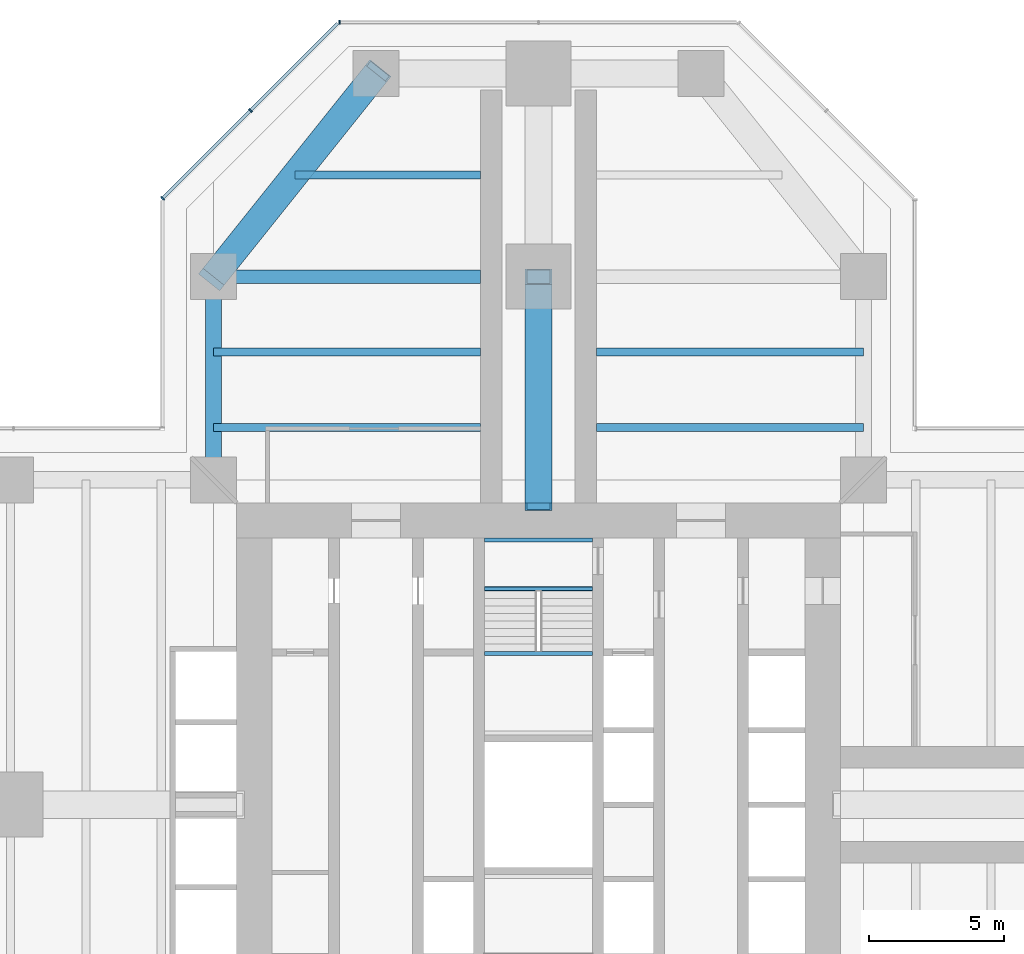
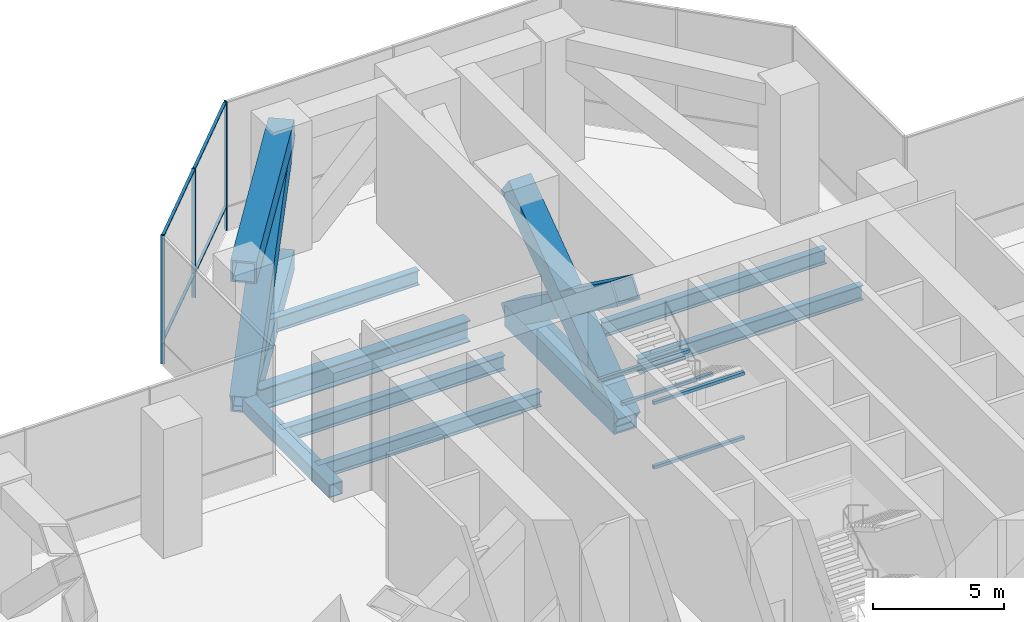
# One storey, part 8 of 19: 12 beams, 12 members, 2 elements without a shape of their own.
"""IFC4 building model written with IfcOpenShell, lengths in metres."""

from ifc_helpers import new_model, si_unit, direction, frame, origin, origin_2d, place, context, subcontext, project, spatial, rectangle, hollow_rectangle, i_section, extrude, material, material_profile, profile_set, type_object, element, aggregate, save


model = new_model("IFC4")

# Units and contexts
model_context = context("Model", 3, precision=1e-05, world=origin(), true_north=direction((0.0, 1.0)))
body_context = subcontext(model_context, "Body", "Model", "MODEL_VIEW")
ifc_project = project(units=[si_unit("LENGTHUNIT", "METRE"), si_unit("AREAUNIT", "SQUARE_METRE"), si_unit("VOLUMEUNIT", "CUBIC_METRE"), si_unit("PLANEANGLEUNIT", "RADIAN"), si_unit("MASSUNIT", "GRAM", prefix="KILO")], contexts=[model_context])

# Site, building, storey
site_placement = place(None, origin())
site = spatial("IfcSite", under=ifc_project, at=site_placement, CompositionType="ELEMENT")
building_placement = place(site_placement, origin())
building = spatial("IfcBuilding", under=site, at=building_placement, Name="Mizan Broadcast Tower", CompositionType="ELEMENT")
storey_placement = place(building_placement, frame((0.0, 0.0, 198.89990234375)))
storey = spatial("IfcBuildingStorey", under=building, at=storey_placement, Name="L46", CompositionType="ELEMENT", Elevation=198.89990234375)

# Members
ifc_material_1 = material(Name="Steel S460", Category="steel")
ifc_material_profile_1 = material_profile(ifc_material_1, hollow_rectangle(XDim=1.0, YDim=1.0, WallThickness=0.080078125, at=origin_2d()), Name="BOX 1000x1000x80")
ifc_profile_set_1 = profile_set([ifc_material_profile_1], Name="Steel S460")
member_type_1 = type_object("IfcMemberType", Name="BELT TRUSS BT3 CHORD BOX 1000x1000x80", PredefinedType="CHORD", material=ifc_profile_set_1)
for number, where, z_axis, x_axis, name in (
    (1, (-6.0, 27.0, -0.679931640625), (-0.624695047554, -0.780868809443, 0.0), (0.780868809443, -0.624695047554, 0.0), "Belt truss BT3-N27 bottom chord 4"),
    (2, (-6.0, 27.0, 5.3701171875), (-0.624695047554, -0.780868809443, 0.0), (0.780868809443, -0.624695047554, 0.0), "Belt truss BT3-N27 top chord 4"),
):
    element("IfcMember", number, at=place(storey_placement, frame(where, z_axis=z_axis, x_axis=x_axis)), inside=storey, type_object=member_type_1, Name=name, PredefinedType="CHORD", context=body_context, shape_type="SweptSolid", body=[
        extrude(hollow_rectangle(XDim=1.0, YDim=1.0, WallThickness=0.080078125, at=origin_2d()), origin(), (0.0, 0.0, 1.0), 9.604736328125),
    ])
ifc_material_2 = material(Name="Steel S460", Category="steel")
ifc_material_profile_2 = material_profile(ifc_material_2, hollow_rectangle(XDim=1.0, YDim=1.0, WallThickness=0.06005859375, at=origin_2d()), Name="BOX 1000x1000x60")
ifc_profile_set_2 = profile_set([ifc_material_profile_2], Name="Steel S460")
member_type_2 = type_object("IfcMemberType", Name="BELT TRUSS BT3 DIAGONAL BOX 1000x1000x60", PredefinedType="BRACE", material=ifc_profile_set_2)
member_1_placement = place(storey_placement, frame((-12.0, 19.5, -0.679931640625), z_axis=(0.528571606356, 0.660714507945, 0.532980671269), x_axis=(-0.780868809443, 0.624695047554, 0.0)))
element("IfcMember", 3, at=member_1_placement, inside=storey, type_object=member_type_2, Name="Belt truss BT3-N27 diagonal 4", PredefinedType="BRACE", context=body_context, shape_type="SweptSolid", body=[
    extrude(hollow_rectangle(XDim=1.0, YDim=1.0, WallThickness=0.06005859375, at=origin_2d()), origin(), (0.0, 0.0, 1.0), 11.351318359375),
])

# Beams
ifc_material_3 = material(Name="Steel S355", Category="steel")
ifc_material_profile_3 = material_profile(ifc_material_3, hollow_rectangle(XDim=0.60009765625, YDim=0.60009765625, WallThickness=0.0400390625, at=origin_2d()), Name="BOX 600x600x40")
ifc_profile_set_3 = profile_set([ifc_material_profile_3], Name="Steel S355")
beam_type_1 = type_object("IfcBeamType", Name="EDGE BEAM BOX 600x600x40", PredefinedType="SPANDREL", material=ifc_profile_set_3)
beam_1_placement = place(storey_placement, frame((-12.0, 12.449951171875, -0.47998046875), z_axis=(0.0, 1.0, 0.0), x_axis=(-1.0, 0.0, 0.0)))
element("IfcBeam", 4, at=beam_1_placement, inside=storey, type_object=beam_type_1, Name="Edge beam BOX 600x600x40 L46 north arm", PredefinedType="SPANDREL", context=body_context, shape_type="SweptSolid", body=[
    extrude(hollow_rectangle(XDim=0.60009765625, YDim=0.60009765625, WallThickness=0.0400390625, at=origin_2d()), origin(), (0.0, 0.0, 1.0), 6.60009765625),
])
ifc_material_4 = material(Name="Steel S460", Category="steel")
ifc_material_profile_4 = material_profile(ifc_material_4, i_section(OverallWidth=0.5, OverallDepth=1.0, WebThickness=0.02490234375, FlangeThickness=0.050048828125, at=origin_2d()), Name="WPG 1000x500")
ifc_profile_set_4 = profile_set([ifc_material_profile_4], Name="Steel S460")
beam_type_2 = type_object("IfcBeamType", Name="GIRDER WPG 1000x500", PredefinedType="BEAM", material=ifc_profile_set_4)
beam_2_placement = place(storey_placement, frame((-11.408935546875, 19.5, -0.679931640625), z_axis=(1.0, 0.0, 0.0), x_axis=(0.0, 1.0, 0.0)))
element("IfcBeam", 5, at=beam_2_placement, inside=storey, type_object=beam_type_2, Name="Girder WPG 1000x500 L46 north arm", PredefinedType="BEAM", context=body_context, shape_type="SweptSolid", body=[
    extrude(i_section(OverallWidth=0.5, OverallDepth=1.0, WebThickness=0.02490234375, FlangeThickness=0.050048828125, at=origin_2d()), origin(), (0.0, 0.0, 1.0), 9.259033203125),
])

# Curtain wall, member
ifc_material_5 = material(Name="Aluminium framed glazing", Category="aluminium")
curtain_wall_type = type_object("IfcCurtainWallType", Name="PLANT LOUVRE", PredefinedType="USERDEFINED", material=ifc_material_5)
curtain_wall_1_placement = place(storey_placement, origin())
curtain_wall_1 = element("IfcCurtainWall", 6, at=curtain_wall_1_placement, inside=storey, type_object=curtain_wall_type, Name="Plant louvre L46 N end", ObjectType="PLANT LOUVRE", PredefinedType="USERDEFINED")
ifc_material_6 = material(Name="Aluminium, pale anodised", Category="aluminium")
ifc_material_profile_5 = material_profile(ifc_material_6, rectangle(XDim=0.159912109375, YDim=0.06005859375, at=origin_2d()), Name="MULLION 160x60")
ifc_profile_set_5 = profile_set([ifc_material_profile_5], Name="Aluminium, pale anodised")
member_type_3 = type_object("IfcMemberType", Name="INNER SKIN MULLION 60x160", PredefinedType="MULLION", material=ifc_profile_set_5)
member_2_placement = place(storey_placement, frame((-7.3427734375, 28.89990234375, 0.0), z_axis=(0.0, 0.0, 1.0), x_axis=(0.0, -1.0, 0.0)))
member_2 = element("IfcMember", 7, at=member_2_placement, type_object=member_type_3, Name="Plant louvre L46 N end mullion 3", PredefinedType="MULLION", context=body_context, shape_type="SweptSolid", body=[
    extrude(rectangle(XDim=0.159912109375, YDim=0.06005859375, at=origin_2d()), origin(), (0.0, 0.0, 1.0), 6.0),
])
aggregate(curtain_wall_1, [member_2])

# Curtain wall, members
curtain_wall_2_placement = place(storey_placement, origin())
curtain_wall_2 = element("IfcCurtainWall", 8, at=curtain_wall_2_placement, inside=storey, type_object=curtain_wall_type, Name="Plant louvre L46 N chamfer", ObjectType="PLANT LOUVRE", PredefinedType="USERDEFINED")
member_3_placement = place(storey_placement, frame((-10.636474609375, 25.636474609375, 0.0), z_axis=(0.0, 0.0, 1.0), x_axis=(0.707106781187, -0.707106781187, 0.0)))
member_3 = element("IfcMember", 9, at=member_3_placement, type_object=member_type_3, Name="Plant louvre L46 N chamfer mullion 2", PredefinedType="MULLION", context=body_context, shape_type="SweptSolid", body=[
    extrude(rectangle(XDim=0.159912109375, YDim=0.06005859375, at=origin_2d()), origin(), (0.0, 0.0, 1.0), 6.0),
])
member_4_placement = place(storey_placement, frame((-13.87890625, 22.39404296875, 0.0), z_axis=(0.0, 0.0, 1.0), x_axis=(0.707106781187, -0.707106781187, 0.0)))
member_4 = element("IfcMember", 10, at=member_4_placement, type_object=member_type_3, Name="Plant louvre L46 N chamfer mullion 3", PredefinedType="MULLION", context=body_context, shape_type="SweptSolid", body=[
    extrude(rectangle(XDim=0.159912109375, YDim=0.06005859375, at=origin_2d()), origin(), (0.0, 0.0, 1.0), 6.0),
])
ifc_material_7 = material(Name="Aluminium, pale anodised", Category="aluminium")
ifc_material_profile_6 = material_profile(ifc_material_7, rectangle(XDim=0.1201171875, YDim=0.06005859375, at=origin_2d()), Name="TRANSOM 120x60")
ifc_profile_set_6 = profile_set([ifc_material_profile_6], Name="Aluminium, pale anodised")
member_type_4 = type_object("IfcMemberType", Name="INNER SKIN TRANSOM 60x120", PredefinedType="USERDEFINED", material=ifc_profile_set_6)
member_5_placement = place(storey_placement, frame((-7.415283203125, 28.857666015625, 1.10009765625), z_axis=(-0.707106781187, -0.707106781187, 0.0), x_axis=(0.707106781187, -0.707106781187, 0.0)))
member_5 = element("IfcMember", 11, at=member_5_placement, type_object=member_type_4, Name="Plant louvre L46 N chamfer transom 1.1", ObjectType="TRANSOM", PredefinedType="USERDEFINED", context=body_context, shape_type="SweptSolid", body=[
    extrude(rectangle(XDim=0.1201171875, YDim=0.06005859375, at=origin_2d()), origin(), (0.0, 0.0, 1.0), 4.525390625),
])
member_6_placement = place(storey_placement, frame((-7.415283203125, 28.857666015625, 5.97021484375), z_axis=(-0.707106781187, -0.707106781187, 0.0), x_axis=(0.707106781187, -0.707106781187, 0.0)))
member_6 = element("IfcMember", 12, at=member_6_placement, type_object=member_type_4, Name="Plant louvre L46 N chamfer transom 1.2", ObjectType="TRANSOM", PredefinedType="USERDEFINED", context=body_context, shape_type="SweptSolid", body=[
    extrude(rectangle(XDim=0.1201171875, YDim=0.06005859375, at=origin_2d()), origin(), (0.0, 0.0, 1.0), 4.525390625),
])
member_7_placement = place(storey_placement, frame((-10.65771484375, 25.615234375, 1.10009765625), z_axis=(-0.707106781187, -0.707106781187, 0.0), x_axis=(0.707106781187, -0.707106781187, 0.0)))
member_7 = element("IfcMember", 13, at=member_7_placement, type_object=member_type_4, Name="Plant louvre L46 N chamfer transom 2.1", ObjectType="TRANSOM", PredefinedType="USERDEFINED", context=body_context, shape_type="SweptSolid", body=[
    extrude(rectangle(XDim=0.1201171875, YDim=0.06005859375, at=origin_2d()), origin(), (0.0, 0.0, 1.0), 4.525390625),
])
member_8_placement = place(storey_placement, frame((-10.65771484375, 25.615234375, 5.97021484375), z_axis=(-0.707106781187, -0.707106781187, 0.0), x_axis=(0.707106781187, -0.707106781187, 0.0)))
member_8 = element("IfcMember", 14, at=member_8_placement, type_object=member_type_4, Name="Plant louvre L46 N chamfer transom 2.2", ObjectType="TRANSOM", PredefinedType="USERDEFINED", context=body_context, shape_type="SweptSolid", body=[
    extrude(rectangle(XDim=0.1201171875, YDim=0.06005859375, at=origin_2d()), origin(), (0.0, 0.0, 1.0), 4.525390625),
])
aggregate(curtain_wall_2, [member_3, member_4, member_5, member_6, member_7, member_8])

# Beams
ifc_material_8 = material(Name="Steel S355", Category="steel")
ifc_material_profile_7 = material_profile(ifc_material_8, hollow_rectangle(XDim=0.14990234375, YDim=0.14990234375, WallThickness=0.008056640625, InnerFilletRadius=0.008056640625, OuterFilletRadius=0.011962890625, at=origin_2d()), Name="SHS 150x150x8")
ifc_profile_set_7 = profile_set([ifc_material_profile_7], Name="Steel S355")
beam_type_3 = type_object("IfcBeamType", Name="LANDING TRIMMER SHS 150x150x8", PredefinedType="BEAM", material=ifc_profile_set_7)
for number, where, z_axis, x_axis, name in (
    (15, (2.0, 5.5849609375, 1.22509765625), (-1.0, 0.0, 0.0), (0.0, -1.0, 0.0), "Stair B landing trimmer L46"),
    (16, (2.0, 9.77490234375, 2.72509765625), (-1.0, 0.0, 0.0), (0.0, -1.0, 0.0), "Stair B landing trimmer L46"),
    (17, (2.0, 7.97509765625, 2.72509765625), (-1.0, 0.0, 0.0), (0.0, -1.0, 0.0), "Stair B landing trimmer L46"),
    (18, (2.0, 5.5849609375, 4.22509765625), (-1.0, 0.0, 0.0), (0.0, -1.0, 0.0), "Stair B landing trimmer L46"),
):
    element("IfcBeam", number, at=place(storey_placement, frame(where, z_axis=z_axis, x_axis=x_axis)), inside=storey, type_object=beam_type_3, Name=name, PredefinedType="BEAM", context=body_context, shape_type="SweptSolid", body=[
        extrude(hollow_rectangle(XDim=0.14990234375, YDim=0.14990234375, WallThickness=0.008056640625, InnerFilletRadius=0.008056640625, OuterFilletRadius=0.011962890625, at=origin_2d()), origin(), (0.0, 0.0, 1.0), 4.0),
    ])
ifc_material_9 = material(Name="Steel S460", Category="steel")
ifc_material_profile_8 = material_profile(ifc_material_9, hollow_rectangle(XDim=1.0, YDim=1.0, WallThickness=0.080078125, at=origin_2d()), Name="BOX 1000x1000x80")
ifc_profile_set_8 = profile_set([ifc_material_profile_8], Name="Steel S460")
beam_type_4 = type_object("IfcBeamType", Name="OUTRIGGER TRUSS OT3 CHORD BOX 1000x1000x80", PredefinedType="BEAM", material=ifc_profile_set_8)
beam_3_placement = place(storey_placement, frame((0.0, 11.14990234375, -0.679931640625), z_axis=(0.0, 1.0, 0.0), x_axis=(-1.0, 0.0, 0.0)))
element("IfcBeam", 19, at=beam_3_placement, inside=storey, type_object=beam_type_4, Name="Outrigger truss OT3-N bottom chord 1", PredefinedType="BEAM", context=body_context, shape_type="SweptSolid", body=[
    extrude(hollow_rectangle(XDim=1.0, YDim=1.0, WallThickness=0.080078125, at=origin_2d()), origin(), (0.0, 0.0, 1.0), 8.35009765625),
])

# Members
ifc_material_10 = material(Name="Steel S460", Category="steel")
ifc_material_profile_9 = material_profile(ifc_material_10, hollow_rectangle(XDim=1.0, YDim=1.0, WallThickness=0.080078125, at=origin_2d()), Name="BOX 1000x1000x80")
ifc_profile_set_9 = profile_set([ifc_material_profile_9], Name="Steel S460")
member_type_5 = type_object("IfcMemberType", Name="OUTRIGGER TRUSS OT3 DIAGONAL BOX 1000x1000x80", PredefinedType="BRACE", material=ifc_profile_set_9)
for number, where, z_axis, x_axis, name in (
    (20, (0.0, 11.14990234375, -0.679931640625), (0.0, 0.809784242605, 0.586727773698), (-1.0, 0.0, 0.0), "Outrigger truss OT3-N panel 1 diagonal 1"),
    (21, (0.0, 11.14990234375, 5.3701171875), (0.0, 0.809784242605, -0.586727773698), (-1.0, 0.0, 0.0), "Outrigger truss OT3-N panel 1 diagonal 2"),
):
    element("IfcMember", number, at=place(storey_placement, frame(where, z_axis=z_axis, x_axis=x_axis)), inside=storey, type_object=member_type_5, Name=name, PredefinedType="BRACE", context=body_context, shape_type="SweptSolid", body=[
        extrude(hollow_rectangle(XDim=1.0, YDim=1.0, WallThickness=0.080078125, at=origin_2d()), origin(), (0.0, 0.0, 1.0), 10.3115234375),
    ])

# Beams
ifc_material_11 = material(Name="Steel S355", Category="steel")
ifc_material_profile_10 = material_profile(ifc_material_11, i_section(OverallWidth=0.300048828125, OverallDepth=0.68994140625, WebThickness=0.014404296875, FlangeThickness=0.027099609375, FilletRadius=0.027099609375, at=origin_2d()), Name="HEA 700")
ifc_profile_set_10 = profile_set([ifc_material_profile_10], Name="Steel S355")
beam_type_5 = type_object("IfcBeamType", Name="SECONDARY BEAM HEA 700", PredefinedType="JOIST", material=ifc_profile_set_10)
for number, where, z_axis, x_axis, name in (
    (22, (12.0, 13.933349609375, -0.52490234375), (-1.0, 0.0, 0.0), (0.0, -1.0, 0.0), "Secondary beam HEA 700 L46 north arm"),
    (23, (12.0, 16.716552734375, -0.52490234375), (-1.0, 0.0, 0.0), (0.0, -1.0, 0.0), "Secondary beam HEA 700 L46 north arm"),
    (24, (-12.0, 13.933349609375, -0.52490234375), (1.0, 0.0, 0.0), (0.0, 1.0, 0.0), "Secondary beam HEA 700 L46 north arm"),
    (25, (-12.0, 16.716552734375, -0.52490234375), (1.0, 0.0, 0.0), (0.0, 1.0, 0.0), "Secondary beam HEA 700 L46 north arm"),
):
    element("IfcBeam", number, at=place(storey_placement, frame(where, z_axis=z_axis, x_axis=x_axis)), inside=storey, type_object=beam_type_5, Name=name, PredefinedType="JOIST", context=body_context, shape_type="SweptSolid", body=[
        extrude(i_section(OverallWidth=0.300048828125, OverallDepth=0.68994140625, WebThickness=0.014404296875, FlangeThickness=0.027099609375, FilletRadius=0.027099609375, at=origin_2d()), origin(), (0.0, 0.0, 1.0), 9.85009765625),
    ])
beam_4_placement = place(storey_placement, frame((-9.0, 23.25, -0.52490234375), z_axis=(1.0, 0.0, 0.0), x_axis=(0.0, 1.0, 0.0)))
element("IfcBeam", 26, at=beam_4_placement, inside=storey, type_object=beam_type_5, Name="Secondary beam HEA 700 L46 north arm", PredefinedType="JOIST", context=body_context, shape_type="SweptSolid", body=[
    extrude(i_section(OverallWidth=0.300048828125, OverallDepth=0.68994140625, WebThickness=0.014404296875, FlangeThickness=0.027099609375, FilletRadius=0.027099609375, at=origin_2d()), origin(), (0.0, 0.0, 1.0), 6.85009765625),
])

save(model, "model.ifc")
